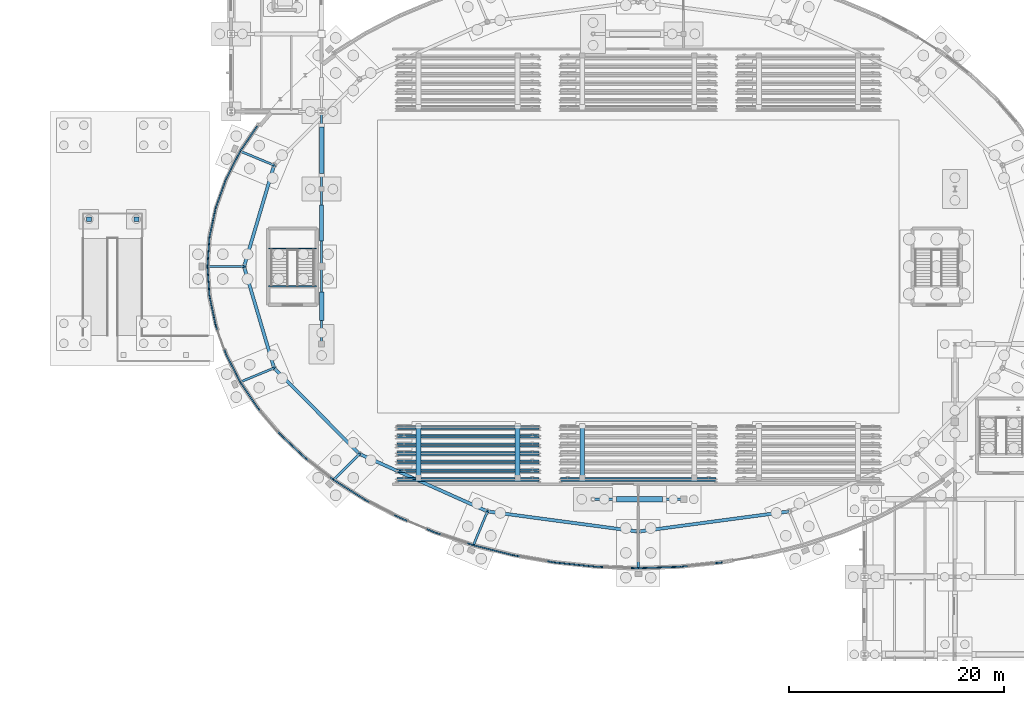
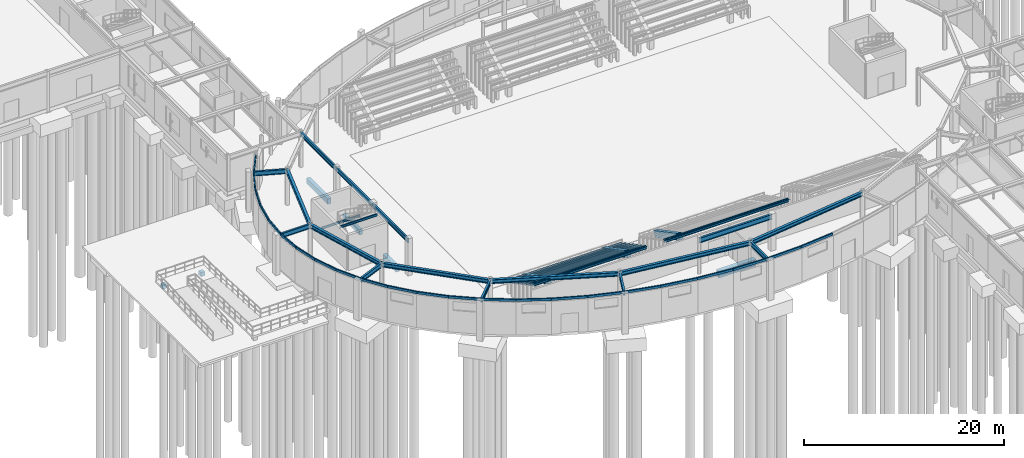
# One storey, part 33 of 93: 64 beams, 2 columns.
"""IFC4 building model written with IfcOpenShell, lengths in metres."""

from ifc_helpers import new_model, si_unit, derived_unit, direction, frame, origin, origin_2d, place, context, subcontext, project, spatial, rectangle, hollow_rectangle, i_section, extrude, material, material_profile, profile_set, type_object, element, save


model = new_model("IFC4")

# Units and contexts
model_context = context("Model", 3, precision=1e-05, world=origin(), true_north=direction((0.0, 1.0)))
body_context = subcontext(model_context, "Body", "Model", "MODEL_VIEW")
ifc_project = project(units=[si_unit("LENGTHUNIT", "METRE"), si_unit("AREAUNIT", "SQUARE_METRE"), si_unit("VOLUMEUNIT", "CUBIC_METRE"), si_unit("PLANEANGLEUNIT", "RADIAN"), si_unit("MASSUNIT", "GRAM", prefix="KILO"), derived_unit("THERMALTRANSMITTANCEUNIT", [(si_unit("MASSUNIT", "GRAM", prefix="KILO"), 1), (si_unit("TIMEUNIT", "SECOND"), -3), (si_unit("THERMODYNAMICTEMPERATUREUNIT", "KELVIN"), -1)])], contexts=[model_context])

# Site, building, storey
site_placement = place(None, origin())
site = spatial("IfcSite", under=ifc_project, at=site_placement, CompositionType="ELEMENT")
building_placement = place(site_placement, origin())
building = spatial("IfcBuilding", under=site, at=building_placement, Name="Kharveza Railside Sports Centre", CompositionType="ELEMENT")
storey_placement = place(building_placement, origin())
storey = spatial("IfcBuildingStorey", under=building, at=storey_placement, Name="L00", CompositionType="ELEMENT", Elevation=0.0)

# Columns
ifc_material_1 = material(Name="Concrete C35/45", Category="concrete")
ifc_material_profile_1 = material_profile(ifc_material_1, rectangle(XDim=0.449951171875, YDim=0.449951171875, at=origin_2d()), Name="RC 450x450")
ifc_profile_set_1 = profile_set([ifc_material_profile_1], Name="Concrete C35/45")
column_type = type_object("IfcColumnType", Name="COL-RC09", PredefinedType="COLUMN", material=ifc_profile_set_1)
for number, where, z_axis, x_axis, name in (
    (1, (3.60009765625, 54.800048828125, -1.159912109375), (0.0, 0.0, 1.0), (1.0, 0.0, 0.0), "COL-RMP-DRUMW-C1"),
    (2, (8.0, 54.800048828125, -1.159912109375), (0.0, 0.0, 1.0), (1.0, 0.0, 0.0), "COL-RMP-DRUMW-C2"),
):
    element("IfcColumn", number, at=place(storey_placement, frame(where, z_axis=z_axis, x_axis=x_axis)), inside=storey, type_object=column_type, Name=name, PredefinedType="COLUMN", context=body_context, shape_type="SweptSolid", body=[
        extrude(rectangle(XDim=0.449951171875, YDim=0.449951171875, at=origin_2d()), origin(), (0.0, 0.0, 1.0), 0.5),
    ])

# Beams
ifc_material_2 = material(Name="Steel S355J2", Category="steel")
ifc_material_profile_2 = material_profile(ifc_material_2, i_section(OverallWidth=0.219970703125, OverallDepth=0.60009765625, WebThickness=0.011962890625, FlangeThickness=0.01904296875, FilletRadius=0.02392578125, at=origin_2d()), Name="IPE 600")
ifc_profile_set_2 = profile_set([ifc_material_profile_2], Name="Steel S355J2")
beam_type_1 = type_object("IfcBeamType", Name="BM-G01", PredefinedType="T_BEAM", material=ifc_profile_set_2)
beam_1_placement = place(storey_placement, frame((50.39990234375, 28.800048828125, 4.02001953125), z_axis=(1.0, 0.0, 0.0), x_axis=(0.0, 1.0, 0.0)))
element("IfcBeam", 3, at=beam_1_placement, inside=storey, type_object=beam_type_1, Name="BM-EW-L00-B01-X504-Y288", PredefinedType="T_BEAM", context=body_context, shape_type="SweptSolid", body=[
    extrude(i_section(OverallWidth=0.219970703125, OverallDepth=0.60009765625, WebThickness=0.011962890625, FlangeThickness=0.01904296875, FilletRadius=0.02392578125, at=origin_2d()), origin(), (0.0, 0.0, 1.0), 8.400146484375),
])
ifc_material_profile_3 = material_profile(ifc_material_2, i_section(OverallWidth=0.2099609375, OverallDepth=0.550048828125, WebThickness=0.010986328125, FlangeThickness=0.01708984375, FilletRadius=0.02392578125, at=origin_2d()), Name="IPE 550")
ifc_profile_set_3 = profile_set([ifc_material_profile_3], Name="Steel S355J2")
beam_type_2 = type_object("IfcBeamType", Name="BM-G02", PredefinedType="T_BEAM", material=ifc_profile_set_3)
for number, where, z_axis, x_axis, name in (
    (4, (20.785888671875, 59.81396484375, 4.0400390625), (-0.92388643014, 0.382666779591, 0.0), (-0.382666779591, -0.92388643014, 0.0), "BM-DRAD-L00-08"),
    (5, (18.0, 50.39990234375, 4.0400390625), (-1.0, 0.0, 0.0), (0.0, -1.0, 0.0), "BM-DRAD-L00-09"),
    (6, (20.785888671875, 40.986083984375, 4.0400390625), (-0.923861041629, -0.382728070254, 0.0), (0.382728070254, -0.923861041629, 0.0), "BM-DRAD-L00-10"),
    (7, (28.719970703125, 33.005126953125, 4.0400390625), (-0.707142683133, -0.707070877417, 0.0), (0.707070877417, -0.707142683133, 0.0), "BM-DRAD-L00-11"),
    (8, (40.59375, 27.672607421875, 4.0400390625), (-0.382666779591, -0.92388643014, 0.0), (0.92388643014, -0.382666779591, 0.0), "BM-DRAD-L00-12"),
):
    element("IfcBeam", number, at=place(storey_placement, frame(where, z_axis=z_axis, x_axis=x_axis)), inside=storey, type_object=beam_type_2, Name=name, PredefinedType="T_BEAM", context=body_context, shape_type="SweptSolid", body=[
        extrude(i_section(OverallWidth=0.2099609375, OverallDepth=0.550048828125, WebThickness=0.010986328125, FlangeThickness=0.01708984375, FilletRadius=0.02392578125, at=origin_2d()), origin(), (0.0, 0.0, 1.0), 3.39990234375),
    ])
beam_2_placement = place(storey_placement, frame((54.60009765625, 25.800048828125, 4.0400390625), z_axis=(0.0, -1.0, 0.0), x_axis=(1.0, 0.0, 0.0)))
element("IfcBeam", 9, at=beam_2_placement, inside=storey, type_object=beam_type_2, Name="BM-DRAD-L00-13", PredefinedType="T_BEAM", context=body_context, shape_type="SweptSolid", body=[
    extrude(i_section(OverallWidth=0.2099609375, OverallDepth=0.550048828125, WebThickness=0.010986328125, FlangeThickness=0.01708984375, FilletRadius=0.02392578125, at=origin_2d()), origin(), (0.0, 0.0, 1.0), 3.400146484375),
])
ifc_material_profile_4 = material_profile(ifc_material_2, i_section(OverallWidth=0.199951171875, OverallDepth=0.5, WebThickness=0.01025390625, FlangeThickness=0.01611328125, FilletRadius=0.02099609375, at=origin_2d()), Name="IPE 500")
ifc_profile_set_4 = profile_set([ifc_material_profile_4], Name="Steel S355J2")
beam_type_3 = type_object("IfcBeamType", Name="BM-G03", PredefinedType="T_BEAM", material=ifc_profile_set_4)
beam_3_placement = place(storey_placement, frame((25.199951171875, 43.199951171875, 4.070068359375), z_axis=(0.0, 1.0, 0.0), x_axis=(-1.0, 0.0, 0.0)))
element("IfcBeam", 10, at=beam_3_placement, inside=storey, type_object=beam_type_3, Name="BM-NS-L00-B03-X252-Y432", PredefinedType="T_BEAM", context=body_context, shape_type="SweptSolid", body=[
    extrude(i_section(OverallWidth=0.199951171875, OverallDepth=0.5, WebThickness=0.01025390625, FlangeThickness=0.01611328125, FilletRadius=0.02099609375, at=origin_2d()), origin(), (0.0, 0.0, 1.0), 7.199951171875),
])
beam_4_placement = place(storey_placement, frame((25.199951171875, 50.39990234375, 4.070068359375), z_axis=(0.0, 1.0, 0.0), x_axis=(-1.0, 0.0, 0.0)))
element("IfcBeam", 11, at=beam_4_placement, inside=storey, type_object=beam_type_3, Name="BM-NS-L00-B03-X252-Y504", PredefinedType="T_BEAM", context=body_context, shape_type="SweptSolid", body=[
    extrude(i_section(OverallWidth=0.199951171875, OverallDepth=0.5, WebThickness=0.01025390625, FlangeThickness=0.01611328125, FilletRadius=0.02099609375, at=origin_2d()), origin(), (0.0, 0.0, 1.0), 7.2001953125),
])
beam_5_placement = place(storey_placement, frame((25.199951171875, 57.60009765625, 4.070068359375), z_axis=(0.0, 1.0, 0.0), x_axis=(-1.0, 0.0, 0.0)))
element("IfcBeam", 12, at=beam_5_placement, inside=storey, type_object=beam_type_3, Name="BM-NS-L00-B03-X252-Y576", PredefinedType="T_BEAM", context=body_context, shape_type="SweptSolid", body=[
    extrude(i_section(OverallWidth=0.199951171875, OverallDepth=0.5, WebThickness=0.01025390625, FlangeThickness=0.01611328125, FilletRadius=0.02099609375, at=origin_2d()), origin(), (0.0, 0.0, 1.0), 7.199951171875),
])
ifc_material_profile_5 = material_profile(ifc_material_2, i_section(OverallWidth=0.300048828125, OverallDepth=0.489990234375, WebThickness=0.011962890625, FlangeThickness=0.02294921875, FilletRadius=0.027099609375, at=origin_2d()), Name="HEA 500")
ifc_profile_set_5 = profile_set([ifc_material_profile_5], Name="Steel S355J2")
beam_type_4 = type_object("IfcBeamType", Name="BM-G08", PredefinedType="T_BEAM", material=ifc_profile_set_5)
beam_6_placement = place(storey_placement, frame((20.785888671875, 59.81396484375, 4.070068359375), z_axis=(-0.283764031332, -0.958894141458, 0.0), x_axis=(0.958894141458, -0.283764031332, 0.0)))
element("IfcBeam", 13, at=beam_6_placement, inside=storey, type_object=beam_type_4, Name="BM-DRING-L00-08", PredefinedType="T_BEAM", context=body_context, shape_type="SweptSolid", body=[
    extrude(i_section(OverallWidth=0.300048828125, OverallDepth=0.489990234375, WebThickness=0.011962890625, FlangeThickness=0.02294921875, FilletRadius=0.027099609375, at=origin_2d()), origin(), (0.0, 0.0, 1.0), 9.817626953125),
])
beam_7_placement = place(storey_placement, frame((18.0, 50.39990234375, 4.070068359375), z_axis=(0.283770797949, -0.958892138998, 0.0), x_axis=(0.958892138998, 0.283770797949, 0.0)))
element("IfcBeam", 14, at=beam_7_placement, inside=storey, type_object=beam_type_4, Name="BM-DRING-L00-09", PredefinedType="T_BEAM", context=body_context, shape_type="SweptSolid", body=[
    extrude(i_section(OverallWidth=0.300048828125, OverallDepth=0.489990234375, WebThickness=0.011962890625, FlangeThickness=0.02294921875, FilletRadius=0.027099609375, at=origin_2d()), origin(), (0.0, 0.0, 1.0), 9.8173828125),
])
beam_8_placement = place(storey_placement, frame((20.785888671875, 40.986083984375, 4.070068359375), z_axis=(0.705021062231, -0.709186366064, 0.0), x_axis=(0.709186366064, 0.705021062231, 0.0)))
element("IfcBeam", 15, at=beam_8_placement, inside=storey, type_object=beam_type_4, Name="BM-DRING-L00-10", PredefinedType="T_BEAM", context=body_context, shape_type="SweptSolid", body=[
    extrude(i_section(OverallWidth=0.300048828125, OverallDepth=0.489990234375, WebThickness=0.011962890625, FlangeThickness=0.02294921875, FilletRadius=0.027099609375, at=origin_2d()), origin(), (0.0, 0.0, 1.0), 11.253662109375),
])
beam_9_placement = place(storey_placement, frame((28.719970703125, 33.005126953125, 4.070068359375), z_axis=(0.912228335917, -0.409682148928, 0.0), x_axis=(0.409682148928, 0.912228335917, 0.0)))
element("IfcBeam", 16, at=beam_9_placement, inside=storey, type_object=beam_type_4, Name="BM-DRING-L00-11", PredefinedType="T_BEAM", context=body_context, shape_type="SweptSolid", body=[
    extrude(i_section(OverallWidth=0.300048828125, OverallDepth=0.489990234375, WebThickness=0.011962890625, FlangeThickness=0.02294921875, FilletRadius=0.027099609375, at=origin_2d()), origin(), (0.0, 0.0, 1.0), 13.016357421875),
])
beam_10_placement = place(storey_placement, frame((40.59375, 27.672607421875, 4.070068359375), z_axis=(0.991181062463, -0.132514532841, 0.0), x_axis=(0.132514532841, 0.991181062463, 0.0)))
element("IfcBeam", 17, at=beam_10_placement, inside=storey, type_object=beam_type_4, Name="BM-DRING-L00-12", PredefinedType="T_BEAM", context=body_context, shape_type="SweptSolid", body=[
    extrude(i_section(OverallWidth=0.300048828125, OverallDepth=0.489990234375, WebThickness=0.011962890625, FlangeThickness=0.02294921875, FilletRadius=0.027099609375, at=origin_2d()), origin(), (0.0, 0.0, 1.0), 14.130859375),
])
beam_11_placement = place(storey_placement, frame((54.60009765625, 25.800048828125, 4.070068359375), z_axis=(0.99118075907, 0.132516802142, 0.0), x_axis=(-0.132516802142, 0.99118075907, 0.0)))
element("IfcBeam", 18, at=beam_11_placement, inside=storey, type_object=beam_type_4, Name="BM-DRING-L00-13", PredefinedType="T_BEAM", context=body_context, shape_type="SweptSolid", body=[
    extrude(i_section(OverallWidth=0.300048828125, OverallDepth=0.489990234375, WebThickness=0.011962890625, FlangeThickness=0.02294921875, FilletRadius=0.027099609375, at=origin_2d()), origin(), (0.0, 0.0, 1.0), 14.130615234375),
])
ifc_material_profile_6 = material_profile(ifc_material_1, rectangle(XDim=0.5, YDim=0.800048828125, at=origin_2d()), Name="RCB 500x800")
ifc_profile_set_6 = profile_set([ifc_material_profile_6], Name="Concrete C35/45")
beam_type_5 = type_object("IfcBeamType", Name="BM-RC01", PredefinedType="T_BEAM", material=ifc_profile_set_6)
beam_12_placement = place(storey_placement, frame((52.56005859375, 28.800048828125, -0.820068359375), z_axis=(1.0, 0.0, 0.0), x_axis=(0.0, 1.0, 0.0)))
element("IfcBeam", 19, at=beam_12_placement, inside=storey, type_object=beam_type_5, Name="BM-PLINTH-EW-B25-X504-Y288-1", PredefinedType="T_BEAM", context=body_context, shape_type="SweptSolid", body=[
    extrude(rectangle(XDim=0.5, YDim=0.800048828125, at=origin_2d()), origin(), (0.0, 0.0, 1.0), 4.280029296875),
])
ifc_material_profile_7 = material_profile(ifc_material_1, rectangle(XDim=0.39990234375, YDim=0.64990234375, at=origin_2d()), Name="RCB 400x650")
ifc_profile_set_7 = profile_set([ifc_material_profile_7], Name="Concrete C35/45")
beam_type_6 = type_object("IfcBeamType", Name="BM-RC02", PredefinedType="BEAM", material=ifc_profile_set_7)
beam_13_placement = place(storey_placement, frame((25.199951171875, 45.385009765625, -0.7451171875), z_axis=(0.0, 1.0, 0.0), x_axis=(-1.0, 0.0, 0.0)))
element("IfcBeam", 20, at=beam_13_placement, inside=storey, type_object=beam_type_6, Name="BM-PLINTH-NS-B26-X252-Y432-1", PredefinedType="BEAM", context=body_context, shape_type="SweptSolid", body=[
    extrude(rectangle(XDim=0.39990234375, YDim=0.64990234375, at=origin_2d()), origin(), (0.0, 0.0, 1.0), 2.655029296875),
])
beam_14_placement = place(storey_placement, frame((25.199951171875, 59.06005859375, -0.7451171875), z_axis=(0.0, 1.0, 0.0), x_axis=(-1.0, 0.0, 0.0)))
element("IfcBeam", 21, at=beam_14_placement, inside=storey, type_object=beam_type_6, Name="BM-PLINTH-NS-B26-X252-Y576-1", PredefinedType="BEAM", context=body_context, shape_type="SweptSolid", body=[
    extrude(rectangle(XDim=0.39990234375, YDim=0.64990234375, at=origin_2d()), origin(), (0.0, 0.0, 1.0), 4.280029296875),
])
ifc_material_3 = material(Name="Precast concrete C40/50", Category="concrete")
ifc_material_profile_8 = material_profile(ifc_material_3, rectangle(XDim=0.449951171875, YDim=0.75, at=origin_2d()), Name="RCB 450x750")
ifc_profile_set_8 = profile_set([ifc_material_profile_8], Name="Precast concrete C40/50")
beam_type_7 = type_object("IfcBeamType", Name="BM-RC04", PredefinedType="BEAM", material=ifc_profile_set_8)
for number, where, z_axis, x_axis, name in (
    (22, (34.199951171875, 30.800048828125, 3.6298828125), (0.0, 0.883895060385, -0.467685281175), (-1.0, 0.0, 0.0), "BM-RAKER-S-01"),
    (23, (43.39990234375, 30.800048828125, 3.6298828125), (0.0, 0.883895060385, -0.467685281175), (-1.0, 0.0, 0.0), "BM-RAKER-S-02"),
    (24, (49.39990234375, 30.800048828125, 3.6298828125), (0.0, 0.883895060385, -0.467685281175), (-1.0, 0.0, 0.0), "BM-RAKER-S-03"),
):
    element("IfcBeam", number, at=place(storey_placement, frame(where, z_axis=z_axis, x_axis=x_axis)), inside=storey, type_object=beam_type_7, Name=name, PredefinedType="BEAM", context=body_context, shape_type="SweptSolid", body=[
        extrude(rectangle(XDim=0.449951171875, YDim=0.75, at=origin_2d()), origin(), (0.0, 0.0, 1.0), 5.4306640625),
    ])
ifc_material_profile_9 = material_profile(ifc_material_1, rectangle(XDim=0.35009765625, YDim=0.60009765625, at=origin_2d()), Name="RCB 350x600")
ifc_profile_set_9 = profile_set([ifc_material_profile_9], Name="Concrete C35/45")
beam_type_8 = type_object("IfcBeamType", Name="BM-RC06", PredefinedType="BEAM", material=ifc_profile_set_9)
beam_15_placement = place(storey_placement, frame((25.199951171875, 52.760009765625, -0.719970703125), z_axis=(0.0, 1.0, 0.0), x_axis=(-1.0, 0.0, 0.0)))
element("IfcBeam", 25, at=beam_15_placement, inside=storey, type_object=beam_type_8, Name="BM-PLINTH-NS-B30-X252-Y504-1", PredefinedType="BEAM", context=body_context, shape_type="SweptSolid", body=[
    extrude(rectangle(XDim=0.35009765625, YDim=0.60009765625, at=origin_2d()), origin(), (0.0, 0.0, 1.0), 3.3798828125),
])
ifc_material_profile_10 = material_profile(ifc_material_2, i_section(OverallWidth=0.135009765625, OverallDepth=0.27001953125, WebThickness=0.006591796875, FlangeThickness=0.01025390625, FilletRadius=0.014892578125, at=origin_2d()), Name="IPE 270")
ifc_profile_set_10 = profile_set([ifc_material_profile_10], Name="Steel S355J2")
beam_type_9 = type_object("IfcBeamType", Name="BM-S05", PredefinedType="BEAM", material=ifc_profile_set_10)
for number, where, z_axis, x_axis, name in (
    (26, (32.199951171875, 30.5400390625, 3.85498046875), (1.0, 0.0, 0.0), (0.0, 1.0, 0.0), "BM-TSTR-S01-S1-1"),
    (27, (32.199951171875, 30.760009765625, 3.85498046875), (1.0, 0.0, 0.0), (0.0, 1.0, 0.0), "BM-TSTR-S01-S1-2"),
):
    element("IfcBeam", number, at=place(storey_placement, frame(where, z_axis=z_axis, x_axis=x_axis)), inside=storey, type_object=beam_type_9, Name=name, PredefinedType="BEAM", context=body_context, shape_type="SweptSolid", body=[
        extrude(i_section(OverallWidth=0.135009765625, OverallDepth=0.27001953125, WebThickness=0.006591796875, FlangeThickness=0.01025390625, FilletRadius=0.014892578125, at=origin_2d()), origin(), (0.0, 0.0, 1.0), 13.199951171875),
    ])
for number, where, z_axis, x_axis, name in (
    (28, (47.39990234375, 30.5400390625, 3.85498046875), (1.0, 0.0, 0.0), (0.0, 1.0, 0.0), "BM-TSTR-S01-S2-1"),
    (29, (47.39990234375, 30.760009765625, 3.85498046875), (1.0, 0.0, 0.0), (0.0, 1.0, 0.0), "BM-TSTR-S01-S2-2"),
):
    element("IfcBeam", number, at=place(storey_placement, frame(where, z_axis=z_axis, x_axis=x_axis)), inside=storey, type_object=beam_type_9, Name=name, PredefinedType="BEAM", context=body_context, shape_type="SweptSolid", body=[
        extrude(i_section(OverallWidth=0.135009765625, OverallDepth=0.27001953125, WebThickness=0.006591796875, FlangeThickness=0.01025390625, FilletRadius=0.014892578125, at=origin_2d()), origin(), (0.0, 0.0, 1.0), 14.400146484375),
    ])
for number, where, z_axis, x_axis, name in (
    (30, (32.199951171875, 31.340087890625, 3.43505859375), (1.0, 0.0, 0.0), (0.0, 1.0, 0.0), "BM-TSTR-S02-S1-1"),
    (31, (32.199951171875, 31.56005859375, 3.43505859375), (1.0, 0.0, 0.0), (0.0, 1.0, 0.0), "BM-TSTR-S02-S1-2"),
    (32, (32.199951171875, 32.139892578125, 3.014892578125), (1.0, 0.0, 0.0), (0.0, 1.0, 0.0), "BM-TSTR-S03-S1-1"),
    (33, (32.199951171875, 32.360107421875, 3.014892578125), (1.0, 0.0, 0.0), (0.0, 1.0, 0.0), "BM-TSTR-S03-S1-2"),
    (34, (32.199951171875, 32.93994140625, 2.594970703125), (1.0, 0.0, 0.0), (0.0, 1.0, 0.0), "BM-TSTR-S04-S1-1"),
    (35, (32.199951171875, 33.159912109375, 2.594970703125), (1.0, 0.0, 0.0), (0.0, 1.0, 0.0), "BM-TSTR-S04-S1-2"),
    (36, (32.199951171875, 33.739990234375, 2.156982421875), (1.0, 0.0, 0.0), (0.0, 1.0, 0.0), "BM-TSTR-S05-S1-1"),
    (37, (32.199951171875, 33.9599609375, 2.156982421875), (1.0, 0.0, 0.0), (0.0, 1.0, 0.0), "BM-TSTR-S05-S1-2"),
    (38, (32.199951171875, 34.5400390625, 1.737060546875), (1.0, 0.0, 0.0), (0.0, 1.0, 0.0), "BM-TSTR-S06-S1-1"),
    (39, (32.199951171875, 34.760009765625, 1.737060546875), (1.0, 0.0, 0.0), (0.0, 1.0, 0.0), "BM-TSTR-S06-S1-2"),
    (40, (32.199951171875, 35.340087890625, 1.31689453125), (1.0, 0.0, 0.0), (0.0, 1.0, 0.0), "BM-TSTR-S07-S1-1"),
    (41, (32.199951171875, 35.56005859375, 1.31689453125), (1.0, 0.0, 0.0), (0.0, 1.0, 0.0), "BM-TSTR-S07-S1-2"),
):
    element("IfcBeam", number, at=place(storey_placement, frame(where, z_axis=z_axis, x_axis=x_axis)), inside=storey, type_object=beam_type_9, Name=name, PredefinedType="BEAM", context=body_context, shape_type="SweptSolid", body=[
        extrude(i_section(OverallWidth=0.135009765625, OverallDepth=0.27001953125, WebThickness=0.006591796875, FlangeThickness=0.01025390625, FilletRadius=0.014892578125, at=origin_2d()), origin(), (0.0, 0.0, 1.0), 13.199951171875),
    ])
for number, where, z_axis, x_axis, name in (
    (42, (20.280029296875, 52.080078125, 1.929931640625), (1.0, 0.0, 0.0), (0.0, 1.0, 0.0), "BM-HLND-ST7-L00"),
    (43, (20.280029296875, 48.56005859375, 4.179931640625), (1.0, 0.0, 0.0), (0.0, 1.0, 0.0), "BM-STLND-ST7-L01"),
):
    element("IfcBeam", number, at=place(storey_placement, frame(where, z_axis=z_axis, x_axis=x_axis)), inside=storey, type_object=beam_type_9, Name=name, PredefinedType="BEAM", context=body_context, shape_type="SweptSolid", body=[
        extrude(i_section(OverallWidth=0.135009765625, OverallDepth=0.27001953125, WebThickness=0.006591796875, FlangeThickness=0.01025390625, FilletRadius=0.014892578125, at=origin_2d()), origin(), (0.0, 0.0, 1.0), 4.43994140625),
    ])
ifc_material_profile_11 = material_profile(ifc_material_2, hollow_rectangle(XDim=0.14990234375, YDim=0.300048828125, WallThickness=0.012451171875, InnerFilletRadius=0.012451171875, OuterFilletRadius=0.02490234375, at=origin_2d()), Name="RHS 150x300x12.5")
ifc_profile_set_11 = profile_set([ifc_material_profile_11], Name="Steel S355J2")
beam_type_10 = type_object("IfcBeamType", Name="BM-SP03", PredefinedType="SPANDREL", material=ifc_profile_set_11)
beam_16_placement = place(storey_placement, frame((19.3232421875, 63.59912109375, 4.159912109375), z_axis=(-0.559895189709, -0.82856344147, 0.0), x_axis=(0.82856344147, -0.559895189709, 0.0)))
element("IfcBeam", 44, at=beam_16_placement, inside=storey, type_object=beam_type_10, Name="BM-DCLER-SILL-28", PredefinedType="SPANDREL", context=body_context, shape_type="SweptSolid", body=[
    extrude(hollow_rectangle(XDim=0.14990234375, YDim=0.300048828125, WallThickness=0.012451171875, InnerFilletRadius=0.012451171875, OuterFilletRadius=0.02490234375, at=origin_2d()), origin(), (0.0, 0.0, 1.0), 2.997802734375),
])
beam_17_placement = place(storey_placement, frame((17.644775390625, 61.115234375, 4.159912109375), z_axis=(-0.455161394879, -0.890408953578, 0.0), x_axis=(0.890408953578, -0.455161394879, 0.0)))
element("IfcBeam", 45, at=beam_17_placement, inside=storey, type_object=beam_type_10, Name="BM-DCLER-SILL-29", PredefinedType="SPANDREL", context=body_context, shape_type="SweptSolid", body=[
    extrude(hollow_rectangle(XDim=0.14990234375, YDim=0.300048828125, WallThickness=0.012451171875, InnerFilletRadius=0.012451171875, OuterFilletRadius=0.02490234375, at=origin_2d()), origin(), (0.0, 0.0, 1.0), 2.905517578125),
])
beam_18_placement = place(storey_placement, frame((16.322265625, 58.528076171875, 4.159912109375), z_axis=(-0.336849879302, -0.941558367184, 0.0), x_axis=(0.941558367184, -0.336849879302, 0.0)))
element("IfcBeam", 46, at=beam_18_placement, inside=storey, type_object=beam_type_10, Name="BM-DCLER-SILL-30", PredefinedType="SPANDREL", context=body_context, shape_type="SweptSolid", body=[
    extrude(hollow_rectangle(XDim=0.14990234375, YDim=0.300048828125, WallThickness=0.012451171875, InnerFilletRadius=0.012451171875, OuterFilletRadius=0.02490234375, at=origin_2d()), origin(), (0.0, 0.0, 1.0), 2.8310546875),
])
beam_19_placement = place(storey_placement, frame((15.36865234375, 55.862548828125, 4.159912109375), z_axis=(-0.207290160052, -0.978279504817, 0.0), x_axis=(0.978279504817, -0.207290160052, 0.0)))
element("IfcBeam", 47, at=beam_19_placement, inside=storey, type_object=beam_type_10, Name="BM-DCLER-SILL-31", PredefinedType="SPANDREL", context=body_context, shape_type="SweptSolid", body=[
    extrude(hollow_rectangle(XDim=0.14990234375, YDim=0.300048828125, WallThickness=0.012451171875, InnerFilletRadius=0.012451171875, OuterFilletRadius=0.02490234375, at=origin_2d()), origin(), (0.0, 0.0, 1.0), 2.7783203125),
])
beam_20_placement = place(storey_placement, frame((14.792724609375, 53.14453125, 4.159912109375), z_axis=(-0.070011027008, -0.997546217524, 0.0), x_axis=(0.997546217524, -0.070011027008, 0.0)))
element("IfcBeam", 48, at=beam_20_placement, inside=storey, type_object=beam_type_10, Name="BM-DCLER-SILL-32", PredefinedType="SPANDREL", context=body_context, shape_type="SweptSolid", body=[
    extrude(hollow_rectangle(XDim=0.14990234375, YDim=0.300048828125, WallThickness=0.012451171875, InnerFilletRadius=0.012451171875, OuterFilletRadius=0.02490234375, at=origin_2d()), origin(), (0.0, 0.0, 1.0), 2.75146484375),
])
beam_21_placement = place(storey_placement, frame((14.60009765625, 50.39990234375, 4.159912109375), z_axis=(0.070017224661, -0.997545782534, 0.0), x_axis=(0.997545782534, 0.070017224661, 0.0)))
element("IfcBeam", 49, at=beam_21_placement, inside=storey, type_object=beam_type_10, Name="BM-DCLER-SILL-33", PredefinedType="SPANDREL", context=body_context, shape_type="SweptSolid", body=[
    extrude(hollow_rectangle(XDim=0.14990234375, YDim=0.300048828125, WallThickness=0.012451171875, InnerFilletRadius=0.012451171875, OuterFilletRadius=0.02490234375, at=origin_2d()), origin(), (0.0, 0.0, 1.0), 2.751220703125),
])
beam_22_placement = place(storey_placement, frame((14.792724609375, 47.655517578125, 4.159912109375), z_axis=(0.207290160052, -0.978279504817, 0.0), x_axis=(0.978279504817, 0.207290160052, 0.0)))
element("IfcBeam", 50, at=beam_22_placement, inside=storey, type_object=beam_type_10, Name="BM-DCLER-SILL-34", PredefinedType="SPANDREL", context=body_context, shape_type="SweptSolid", body=[
    extrude(hollow_rectangle(XDim=0.14990234375, YDim=0.300048828125, WallThickness=0.012451171875, InnerFilletRadius=0.012451171875, OuterFilletRadius=0.02490234375, at=origin_2d()), origin(), (0.0, 0.0, 1.0), 2.7783203125),
])
beam_23_placement = place(storey_placement, frame((15.36865234375, 44.9375, 4.159912109375), z_axis=(0.336849879302, -0.941558367184, 0.0), x_axis=(0.941558367184, 0.336849879302, 0.0)))
element("IfcBeam", 51, at=beam_23_placement, inside=storey, type_object=beam_type_10, Name="BM-DCLER-SILL-35", PredefinedType="SPANDREL", context=body_context, shape_type="SweptSolid", body=[
    extrude(hollow_rectangle(XDim=0.14990234375, YDim=0.300048828125, WallThickness=0.012451171875, InnerFilletRadius=0.012451171875, OuterFilletRadius=0.02490234375, at=origin_2d()), origin(), (0.0, 0.0, 1.0), 2.8310546875),
])
beam_24_placement = place(storey_placement, frame((16.322265625, 42.27197265625, 4.159912109375), z_axis=(0.455161394879, -0.890408953578, 0.0), x_axis=(0.890408953578, 0.455161394879, 0.0)))
element("IfcBeam", 52, at=beam_24_placement, inside=storey, type_object=beam_type_10, Name="BM-DCLER-SILL-36", PredefinedType="SPANDREL", context=body_context, shape_type="SweptSolid", body=[
    extrude(hollow_rectangle(XDim=0.14990234375, YDim=0.300048828125, WallThickness=0.012451171875, InnerFilletRadius=0.012451171875, OuterFilletRadius=0.02490234375, at=origin_2d()), origin(), (0.0, 0.0, 1.0), 2.905517578125),
])
beam_25_placement = place(storey_placement, frame((17.644775390625, 39.684814453125, 4.159912109375), z_axis=(0.559895189709, -0.82856344147, 0.0), x_axis=(0.82856344147, 0.559895189709, 0.0)))
element("IfcBeam", 53, at=beam_25_placement, inside=storey, type_object=beam_type_10, Name="BM-DCLER-SILL-37", PredefinedType="SPANDREL", context=body_context, shape_type="SweptSolid", body=[
    extrude(hollow_rectangle(XDim=0.14990234375, YDim=0.300048828125, WallThickness=0.012451171875, InnerFilletRadius=0.012451171875, OuterFilletRadius=0.02490234375, at=origin_2d()), origin(), (0.0, 0.0, 1.0), 2.997802734375),
])
beam_26_placement = place(storey_placement, frame((19.3232421875, 37.200927734375, 4.159912109375), z_axis=(0.650389538769, -0.759600847722, 0.0), x_axis=(0.759600847722, 0.650389538769, 0.0)))
element("IfcBeam", 54, at=beam_26_placement, inside=storey, type_object=beam_type_10, Name="BM-DCLER-SILL-38", PredefinedType="SPANDREL", context=body_context, shape_type="SweptSolid", body=[
    extrude(hollow_rectangle(XDim=0.14990234375, YDim=0.300048828125, WallThickness=0.012451171875, InnerFilletRadius=0.012451171875, OuterFilletRadius=0.02490234375, at=origin_2d()), origin(), (0.0, 0.0, 1.0), 3.102783203125),
])
beam_27_placement = place(storey_placement, frame((21.34130859375, 34.843994140625, 4.159912109375), z_axis=(0.727236314573, -0.686387166814, 0.0), x_axis=(0.686387166814, 0.727236314573, 0.0)))
element("IfcBeam", 55, at=beam_27_placement, inside=storey, type_object=beam_type_10, Name="BM-DCLER-SILL-39", PredefinedType="SPANDREL", context=body_context, shape_type="SweptSolid", body=[
    extrude(hollow_rectangle(XDim=0.14990234375, YDim=0.300048828125, WallThickness=0.012451171875, InnerFilletRadius=0.012451171875, OuterFilletRadius=0.02490234375, at=origin_2d()), origin(), (0.0, 0.0, 1.0), 3.21533203125),
])
beam_28_placement = place(storey_placement, frame((23.6796875, 32.636962890625, 4.159912109375), z_axis=(0.79143167559, -0.611257640339, 0.0), x_axis=(0.611257640339, 0.79143167559, 0.0)))
element("IfcBeam", 56, at=beam_28_placement, inside=storey, type_object=beam_type_10, Name="BM-DCLER-SILL-40", PredefinedType="SPANDREL", context=body_context, shape_type="SweptSolid", body=[
    extrude(hollow_rectangle(XDim=0.14990234375, YDim=0.300048828125, WallThickness=0.012451171875, InnerFilletRadius=0.012451171875, OuterFilletRadius=0.02490234375, at=origin_2d()), origin(), (0.0, 0.0, 1.0), 3.33056640625),
])
beam_29_placement = place(storey_placement, frame((26.315673828125, 30.60107421875, 4.159912109375), z_axis=(0.844387377206, -0.535733102594, 0.0), x_axis=(0.535733102594, 0.844387377206, 0.0)))
element("IfcBeam", 57, at=beam_29_placement, inside=storey, type_object=beam_type_10, Name="BM-DCLER-SILL-41", PredefinedType="SPANDREL", context=body_context, shape_type="SweptSolid", body=[
    extrude(hollow_rectangle(XDim=0.14990234375, YDim=0.300048828125, WallThickness=0.012451171875, InnerFilletRadius=0.012451171875, OuterFilletRadius=0.02490234375, at=origin_2d()), origin(), (0.0, 0.0, 1.0), 3.44482421875),
])
beam_30_placement = place(storey_placement, frame((29.224365234375, 28.755615234375, 4.159912109375), z_axis=(0.887533910416, -0.460742398593, 0.0), x_axis=(0.460742398593, 0.887533910416, 0.0)))
element("IfcBeam", 58, at=beam_30_placement, inside=storey, type_object=beam_type_10, Name="BM-DCLER-SILL-42", PredefinedType="SPANDREL", context=body_context, shape_type="SweptSolid", body=[
    extrude(hollow_rectangle(XDim=0.14990234375, YDim=0.300048828125, WallThickness=0.012451171875, InnerFilletRadius=0.012451171875, OuterFilletRadius=0.02490234375, at=origin_2d()), origin(), (0.0, 0.0, 1.0), 3.55224609375),
])
beam_31_placement = place(storey_placement, frame((32.377197265625, 27.118896484375, 4.159912109375), z_axis=(0.922130522386, -0.386878921219, 0.0), x_axis=(0.386878921219, 0.922130522386, 0.0)))
element("IfcBeam", 59, at=beam_31_placement, inside=storey, type_object=beam_type_10, Name="BM-DCLER-SILL-43", PredefinedType="SPANDREL", context=body_context, shape_type="SweptSolid", body=[
    extrude(hollow_rectangle(XDim=0.14990234375, YDim=0.300048828125, WallThickness=0.012451171875, InnerFilletRadius=0.012451171875, OuterFilletRadius=0.02490234375, at=origin_2d()), origin(), (0.0, 0.0, 1.0), 3.6513671875),
])
beam_32_placement = place(storey_placement, frame((35.744140625, 25.706298828125, 4.159912109375), z_axis=(0.949327915917, -0.314287301781, 0.0), x_axis=(0.314287301781, 0.949327915917, 0.0)))
element("IfcBeam", 60, at=beam_32_placement, inside=storey, type_object=beam_type_10, Name="BM-DCLER-SILL-44", PredefinedType="SPANDREL", context=body_context, shape_type="SweptSolid", body=[
    extrude(hollow_rectangle(XDim=0.14990234375, YDim=0.300048828125, WallThickness=0.012451171875, InnerFilletRadius=0.012451171875, OuterFilletRadius=0.02490234375, at=origin_2d()), origin(), (0.0, 0.0, 1.0), 3.738037109375),
])
beam_33_placement = place(storey_placement, frame((39.292724609375, 24.531494140625, 4.159912109375), z_axis=(0.970029313946, -0.242987921686, 0.0), x_axis=(0.242987921686, 0.970029313946, 0.0)))
element("IfcBeam", 61, at=beam_33_placement, inside=storey, type_object=beam_type_10, Name="BM-DCLER-SILL-45", PredefinedType="SPANDREL", context=body_context, shape_type="SweptSolid", body=[
    extrude(hollow_rectangle(XDim=0.14990234375, YDim=0.300048828125, WallThickness=0.012451171875, InnerFilletRadius=0.012451171875, OuterFilletRadius=0.02490234375, at=origin_2d()), origin(), (0.0, 0.0, 1.0), 3.81005859375),
])
beam_34_placement = place(storey_placement, frame((42.988525390625, 23.605712890625, 4.159912109375), z_axis=(0.984971163925, -0.172718864739, 0.0), x_axis=(0.172718864739, 0.984971163925, 0.0)))
element("IfcBeam", 62, at=beam_34_placement, inside=storey, type_object=beam_type_10, Name="BM-DCLER-SILL-46", PredefinedType="SPANDREL", context=body_context, shape_type="SweptSolid", body=[
    extrude(hollow_rectangle(XDim=0.14990234375, YDim=0.300048828125, WallThickness=0.012451171875, InnerFilletRadius=0.012451171875, OuterFilletRadius=0.02490234375, at=origin_2d()), origin(), (0.0, 0.0, 1.0), 3.865966796875),
])
beam_35_placement = place(storey_placement, frame((46.79638671875, 22.93798828125, 4.159912109375), z_axis=(0.994654867494, -0.103255482032, 0.0), x_axis=(0.103255482032, 0.994654867494, 0.0)))
element("IfcBeam", 63, at=beam_35_placement, inside=storey, type_object=beam_type_10, Name="BM-DCLER-SILL-47", PredefinedType="SPANDREL", context=body_context, shape_type="SweptSolid", body=[
    extrude(hollow_rectangle(XDim=0.14990234375, YDim=0.300048828125, WallThickness=0.012451171875, InnerFilletRadius=0.012451171875, OuterFilletRadius=0.02490234375, at=origin_2d()), origin(), (0.0, 0.0, 1.0), 3.903564453125),
])
beam_36_placement = place(storey_placement, frame((50.67919921875, 22.534912109375, 4.159912109375), z_axis=(0.999407697997, -0.034412979887, 0.0), x_axis=(0.034412979887, 0.999407697997, 0.0)))
element("IfcBeam", 64, at=beam_36_placement, inside=storey, type_object=beam_type_10, Name="BM-DCLER-SILL-48", PredefinedType="SPANDREL", context=body_context, shape_type="SweptSolid", body=[
    extrude(hollow_rectangle(XDim=0.14990234375, YDim=0.300048828125, WallThickness=0.012451171875, InnerFilletRadius=0.012451171875, OuterFilletRadius=0.02490234375, at=origin_2d()), origin(), (0.0, 0.0, 1.0), 3.92333984375),
])
beam_37_placement = place(storey_placement, frame((54.60009765625, 22.39990234375, 4.159912109375), z_axis=(0.999407624294, 0.034415120259, 0.0), x_axis=(-0.034415120259, 0.999407624294, 0.0)))
element("IfcBeam", 65, at=beam_37_placement, inside=storey, type_object=beam_type_10, Name="BM-DCLER-SILL-49", PredefinedType="SPANDREL", context=body_context, shape_type="SweptSolid", body=[
    extrude(hollow_rectangle(XDim=0.14990234375, YDim=0.300048828125, WallThickness=0.012451171875, InnerFilletRadius=0.012451171875, OuterFilletRadius=0.02490234375, at=origin_2d()), origin(), (0.0, 0.0, 1.0), 3.923095703125),
])
beam_38_placement = place(storey_placement, frame((58.520751953125, 22.534912109375, 4.159912109375), z_axis=(0.994654867494, 0.103255482032, 0.0), x_axis=(-0.103255482032, 0.994654867494, 0.0)))
element("IfcBeam", 66, at=beam_38_placement, inside=storey, type_object=beam_type_10, Name="BM-DCLER-SILL-50", PredefinedType="SPANDREL", context=body_context, shape_type="SweptSolid", body=[
    extrude(hollow_rectangle(XDim=0.14990234375, YDim=0.300048828125, WallThickness=0.012451171875, InnerFilletRadius=0.012451171875, OuterFilletRadius=0.02490234375, at=origin_2d()), origin(), (0.0, 0.0, 1.0), 3.903564453125),
])

save(model, "model.ifc")
